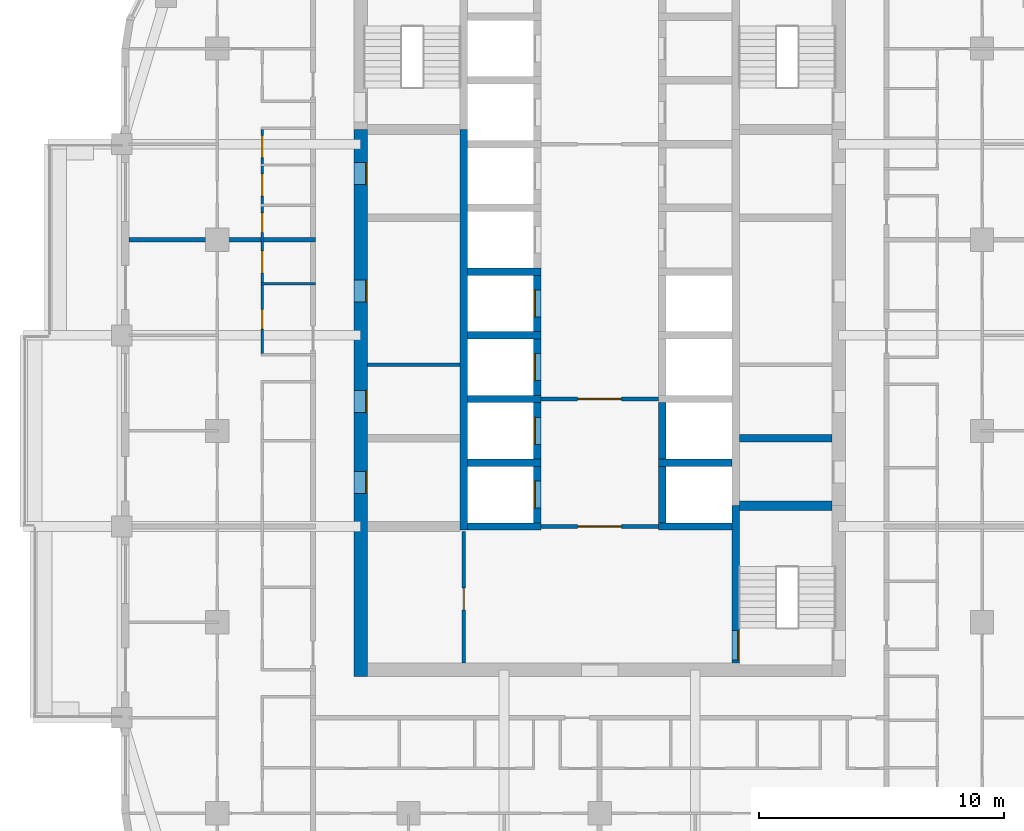
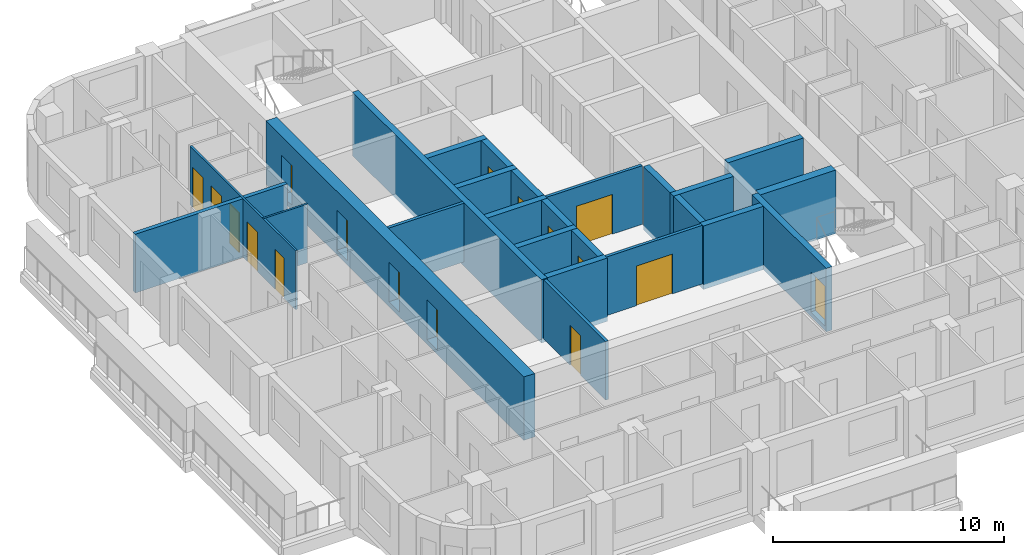
# One storey, part 5 of 14: 25 walls, 17 doors, 17 openings.
"""IFC4 building model written with IfcOpenShell, lengths in metres."""

import ifcopenshell
import ifcopenshell.guid

model = None  # the IFC model being written
_history = None  # IfcOwnerHistory: only IFC2X3 demands one
_inside = {}  # id of a spatial element -> (the spatial element, [elements in it])
_under = {}  # id of a project, library or spatial element -> (it, [spatial elements below it])
_declared = {}  # id of a project -> (the project, [libraries it declares])
_typed = {}  # id of a type object -> (the type object, [elements of that type])
_made_of = {}  # id of a material, layer set ... -> (it, [elements and type objects made of it])


def new_model(schema):
    """Start an empty IFC model of exactly this schema.

    Asked for "IFC4X3", IfcOpenShell would pick the latest addendum, in which some entities
    have other attributes; the version numbers below select the first issue.
    IFC2X3 requires an IfcOwnerHistory on every rooted entity: one is made here for all.
    """
    global model, _history
    if schema == "IFC4X3":
        model = ifcopenshell.file(schema_version=(4, 3, 0, 0))
    else:
        model = ifcopenshell.file(schema=schema)
    _inside.clear()
    _under.clear()
    _declared.clear()
    _typed.clear()
    _made_of.clear()
    _history = None
    if model.schema == "IFC2X3":
        org = make("IfcOrganization", Name="unknown")
        user = make(
            "IfcPersonAndOrganization",
            ThePerson=make("IfcPerson", FamilyName="unknown"),
            TheOrganization=org,
        )
        app = make(
            "IfcApplication",
            ApplicationDeveloper=org,
            Version="unknown",
            ApplicationFullName="unknown",
            ApplicationIdentifier="unknown",
        )
        _history = make(
            "IfcOwnerHistory",
            OwningUser=user,
            OwningApplication=app,
            ChangeAction="ADDED",
            CreationDate=0,
        )
    return model


def make(cls, **values):
    """One entity of the class cls with the attributes given. An attribute that is None is left unset."""
    return model.create_entity(
        cls, **{name: value for name, value in values.items() if value is not None}
    )


def rooted(cls, **values):
    """An entity with a GlobalId (a new one), such as an element, a storey or a relation."""
    return make(cls, GlobalId=ifcopenshell.guid.new(), OwnerHistory=_history, **values)


def si_unit(unit_type, name, prefix=None):
    """IfcSIUnit, for example si_unit("LENGTHUNIT", "METRE", prefix="MILLI")."""
    return make("IfcSIUnit", UnitType=unit_type, Prefix=prefix, Name=name)


def assignment(units):
    """IfcUnitAssignment: the units of a project."""
    return None if units is None else make("IfcUnitAssignment", Units=units)


def point(xyz):
    """IfcCartesianPoint."""
    return None if xyz is None else make("IfcCartesianPoint", Coordinates=xyz)


def direction(xyz):
    """IfcDirection."""
    return None if xyz is None else make("IfcDirection", DirectionRatios=xyz)


def frame(location, z_axis=None, x_axis=None):
    """IfcAxis2Placement3D, a coordinate frame: its origin and axes. An axis left out is left unset."""
    return make(
        "IfcAxis2Placement3D",
        Location=point(location),
        Axis=direction(z_axis),
        RefDirection=direction(x_axis),
    )


def frame_2d(location, x_axis=None):
    """IfcAxis2Placement2D, a coordinate frame in the plane: its origin and x axis."""
    return make(
        "IfcAxis2Placement2D", Location=point(location), RefDirection=direction(x_axis)
    )


def origin():
    """The frame at (0, 0, 0) with its axes left unset."""
    return frame((0.0, 0.0, 0.0))


def place(relative_to, where):
    """IfcLocalPlacement: puts the frame where relative to a parent placement (None: the world)."""
    return make(
        "IfcLocalPlacement", PlacementRelTo=relative_to, RelativePlacement=where
    )


def context(
    kind, dimensions, precision=None, world=None, true_north=None, identifier=None
):
    """IfcGeometricRepresentationContext, for example the 3D "Model" context."""
    return make(
        "IfcGeometricRepresentationContext",
        ContextIdentifier=identifier,
        ContextType=kind,
        CoordinateSpaceDimension=dimensions,
        Precision=precision,
        WorldCoordinateSystem=world,
        TrueNorth=true_north,
    )


def subcontext(parent, identifier, kind, view, scale=None):
    """IfcGeometricRepresentationSubContext, for example "Body" below "Model"."""
    return make(
        "IfcGeometricRepresentationSubContext",
        ContextIdentifier=identifier,
        ContextType=kind,
        ParentContext=parent,
        TargetScale=scale,
        TargetView=view,
    )


def project(units=None, contexts=None):
    """IfcProject with its units and contexts."""
    return rooted(
        "IfcProject",
        Name="project",
        RepresentationContexts=contexts,
        UnitsInContext=assignment(units),
    )


def spatial(cls, under=None, at=None, **own):
    """A site, building, storey or space (cls), placed at a placement, below another one or the project."""
    s = rooted(cls, ObjectPlacement=at, **own)
    if under is not None:
        _under.setdefault(under.id(), (under, []))[1].append(s)
    return s


def profile(cls, at=None, kind="AREA", **sizes):
    """A parametric profile (cls). Its sizes go by their IFC names, for example OverallWidth=200.0."""
    return make(cls, ProfileType=kind, Position=at, **sizes)


def rectangle(**sizes):
    """IfcRectangleProfileDef."""
    return profile("IfcRectangleProfileDef", **sizes)


def extrude(swept, where, along, depth):
    """IfcExtrudedAreaSolid: the profile swept, set in the frame where, extruded along a direction by depth."""
    return make(
        "IfcExtrudedAreaSolid",
        SweptArea=swept,
        Position=where,
        ExtrudedDirection=direction(along),
        Depth=depth,
    )


def shape(context_of_items, identifier, shape_type, items):
    """IfcShapeRepresentation: the items that make up one representation, for example the "Body"."""
    return make(
        "IfcShapeRepresentation",
        ContextOfItems=context_of_items,
        RepresentationIdentifier=identifier,
        RepresentationType=shape_type,
        Items=items,
    )


def material(Name=None, Category=None):
    """IfcMaterial."""
    return make("IfcMaterial", Name=Name, Category=Category)


def layer(
    of_material, thickness, ventilated=None, Name=None, Category=None, Priority=None
):
    """IfcMaterialLayer: one layer of a wall or slab, of a material (None: an air gap)."""
    return make(
        "IfcMaterialLayer",
        Material=of_material,
        LayerThickness=thickness,
        IsVentilated=ventilated,
        Name=Name,
        Category=Category,
        Priority=Priority,
    )


def layer_set(layers, Name=None):
    """IfcMaterialLayerSet."""
    return make("IfcMaterialLayerSet", MaterialLayers=layers, LayerSetName=Name)


def made_of(thing, what):
    """Note that an element or type object is made of a material, layer set ...; save() writes the relation."""
    if what is not None:
        _made_of.setdefault(what.id(), (what, []))[1].append(thing)
    return thing


def type_object(cls, material=None, **own):
    """A type object (cls), such as IfcWallType, which elements share."""
    return made_of(rooted(cls, **own), material)


def element(
    cls,
    number,
    at=None,
    inside=None,
    cuts=None,
    type_object=None,
    material=None,
    context=None,
    identifier="Body",
    shape_type=None,
    held_by="IfcProductDefinitionShape",
    body=None,
    shapes=None,
    **own,
):
    """One element of the class cls, such as IfcWall. Its Tag is "e" and its number.

    at: its placement. inside: the storey or other place that contains it. cuts: it is an
    opening in that element (IfcRelVoidsElement). A single representation is given by context,
    identifier, shape_type and body (its items); several are given by shapes. held_by: the class
    of the entity that holds the representations. save() writes the other relations.
    """
    e = rooted(cls, Tag="e%d" % number, ObjectPlacement=at, **own)
    if body is not None:
        shapes = [shape(context, identifier, shape_type, body)]
    if shapes is not None:
        e.Representation = make(held_by, Representations=shapes)
    if inside is not None:
        _inside.setdefault(inside.id(), (inside, []))[1].append(e)
    if cuts is not None:
        rooted(
            "IfcRelVoidsElement", RelatingBuildingElement=cuts, RelatedOpeningElement=e
        )
    if type_object is not None:
        _typed.setdefault(type_object.id(), (type_object, []))[1].append(e)
    return made_of(e, material)


def fill(opening, filler):
    """IfcRelFillsElement: the door or window that sits in an opening."""
    return rooted(
        "IfcRelFillsElement",
        RelatingOpeningElement=opening,
        RelatedBuildingElement=filler,
    )


def aggregate(whole, parts):
    """IfcRelAggregates: a whole, such as a stair, and the parts it consists of."""
    return rooted("IfcRelAggregates", RelatingObject=whole, RelatedObjects=parts)


def save(model, path):
    """Write the relations noted so far, then the file.

    IfcRelAggregates (storeys below a building ...), IfcRelContainedInSpatialStructure (elements
    in a storey), IfcRelDefinesByType, IfcRelAssociatesMaterial and IfcRelDeclares: one each for
    every whole, place, type object, material and project.
    """
    for whole, parts in _under.values():
        aggregate(whole, parts)
    for where, things in _inside.values():
        rooted(
            "IfcRelContainedInSpatialStructure",
            RelatedElements=things,
            RelatingStructure=where,
        )
    for kind, things in _typed.values():
        rooted("IfcRelDefinesByType", RelatedObjects=things, RelatingType=kind)
    for what, things in _made_of.values():
        rooted("IfcRelAssociatesMaterial", RelatedObjects=things, RelatingMaterial=what)
    for by, libraries in _declared.values():
        rooted("IfcRelDeclares", RelatingContext=by, RelatedDefinitions=libraries)
    model.write(path)


model = new_model("IFC4")

# Units and contexts
model_context = context("Model", 3, precision=1e-05, world=origin(), true_north=direction((0.0, 1.0)))
body_context = subcontext(model_context, "Body", "Model", "MODEL_VIEW")
ifc_project = project(units=[si_unit("LENGTHUNIT", "METRE"), si_unit("AREAUNIT", "SQUARE_METRE"), si_unit("VOLUMEUNIT", "CUBIC_METRE"), si_unit("PLANEANGLEUNIT", "RADIAN"), si_unit("MASSUNIT", "GRAM", prefix="KILO")], contexts=[model_context])

# Site, building, storey
site_placement = place(None, origin())
site = spatial("IfcSite", under=ifc_project, at=site_placement, CompositionType="ELEMENT")
building_placement = place(site_placement, origin())
building = spatial("IfcBuilding", under=site, at=building_placement, Name="Ludao Terraces", CompositionType="ELEMENT")
storey_placement = place(building_placement, frame((0.0, 0.0, 113.5)))
storey = spatial("IfcBuildingStorey", under=building, at=storey_placement, Name="L31", CompositionType="ELEMENT", Elevation=113.5)

# Wall, openings, doors
ifc_material_1 = material(Name="Concrete C60", Category="concrete")
ifc_layer_1 = layer(ifc_material_1, 0.550048828125)
ifc_layer_set_1 = layer_set([ifc_layer_1], Name="Core wall 550 C60")
wall_type_1 = type_object("IfcWallType", Name="Core wall 550 C60", PredefinedType="SOLIDWALL", material=ifc_layer_set_1)
wall_1_placement = place(storey_placement, frame((75.25, 54.97509765625, -0.25), z_axis=(0.0, 0.0, 1.0), x_axis=(0.0, 1.0, 0.0)))
wall_1 = element("IfcWall", 1, at=wall_1_placement, inside=storey, type_object=wall_type_1, Name="Core wall L31 outer-W", PredefinedType="SOLIDWALL", context=body_context, shape_type="SweptSolid", body=[
    extrude(rectangle(XDim=22.324951171875, YDim=0.550048828125, at=frame_2d((11.16259765625, 0.0))), origin(), (0.0, 0.0, 1.0), 3.35009765625),
])
opening_1_placement = place(wall_1_placement, frame((7.47509765625, 0.0, 0.25)))
opening_1 = element("IfcOpeningElement", 2, at=opening_1_placement, cuts=wall_1, Name="Opening R09-045", PredefinedType="OPENING", context=body_context, shape_type="SweptSolid", body=[
    extrude(rectangle(XDim=0.89990234375, YDim=2.10009765625, at=frame_2d((0.449951171875, 1.050048828125))), frame((0.0, 0.28515625, 0.0), z_axis=(0.0, -1.0, 0.0), x_axis=(1.0, 0.0, 0.0)), (0.0, 0.0, 1.0), 0.570068359375),
])
opening_2_placement = place(wall_1_placement, frame((10.77490234375, 0.0, 0.25)))
opening_2 = element("IfcOpeningElement", 3, at=opening_2_placement, cuts=wall_1, Name="Opening R09-052", PredefinedType="OPENING", context=body_context, shape_type="SweptSolid", body=[
    extrude(rectangle(XDim=0.89990234375, YDim=2.10009765625, at=frame_2d((0.449951171875, 1.050048828125))), frame((0.0, 0.28515625, 0.0), z_axis=(0.0, -1.0, 0.0), x_axis=(1.0, 0.0, 0.0)), (0.0, 0.0, 1.0), 0.570068359375),
])
opening_3_placement = place(wall_1_placement, frame((15.27490234375, 0.0, 0.25)))
opening_3 = element("IfcOpeningElement", 4, at=opening_3_placement, cuts=wall_1, Name="Opening R09-063", PredefinedType="OPENING", context=body_context, shape_type="SweptSolid", body=[
    extrude(rectangle(XDim=0.89990234375, YDim=2.10009765625, at=frame_2d((0.449951171875, 1.050048828125))), frame((0.0, 0.28515625, 0.0), z_axis=(0.0, -1.0, 0.0), x_axis=(1.0, 0.0, 0.0)), (0.0, 0.0, 1.0), 0.570068359375),
])
opening_4_placement = place(wall_1_placement, frame((20.074951171875, 0.0, 0.25)))
opening_4 = element("IfcOpeningElement", 5, at=opening_4_placement, cuts=wall_1, Name="Opening R09-079", PredefinedType="OPENING", context=body_context, shape_type="SweptSolid", body=[
    extrude(rectangle(XDim=0.89990234375, YDim=2.10009765625, at=frame_2d((0.449951171875, 1.050048828125))), frame((0.0, 0.28515625, 0.0), z_axis=(0.0, -1.0, 0.0), x_axis=(1.0, 0.0, 0.0)), (0.0, 0.0, 1.0), 0.570068359375),
])
ifc_material_2 = material(Name="Steel Q235", Category="steel")
door_type_1 = type_object("IfcDoorType", Name="INT Riser door 900", OperationType="SINGLE_SWING_LEFT", PredefinedType="DOOR", material=ifc_material_2)
door_1_placement = place(opening_1_placement, origin())
door_1 = element("IfcDoor", 6, at=door_1_placement, inside=storey, type_object=door_type_1, Name="DOOR 045", OperationType="SINGLE_SWING_RIGHT", OverallHeight=2.10009765625, OverallWidth=0.89990234375, PredefinedType="DOOR", context=body_context, shape_type="SweptSolid", body=[
    extrude(rectangle(XDim=0.89990234375, YDim=2.10009765625, at=frame_2d((0.449951171875, 1.050048828125))), frame((0.0, -0.2099609375, 0.0), z_axis=(0.0, -1.0, 0.0), x_axis=(1.0, 0.0, 0.0)), (0.0, 0.0, 1.0), 0.050048828125),
])
fill(opening_1, door_1)
door_2_placement = place(opening_4_placement, origin())
door_2 = element("IfcDoor", 7, at=door_2_placement, inside=storey, type_object=door_type_1, Name="DOOR 079", OperationType="SINGLE_SWING_LEFT", OverallHeight=2.10009765625, OverallWidth=0.89990234375, PredefinedType="DOOR", context=body_context, shape_type="SweptSolid", body=[
    extrude(rectangle(XDim=0.89990234375, YDim=2.10009765625, at=frame_2d((0.449951171875, 1.050048828125))), frame((0.0, -0.2099609375, 0.0), z_axis=(0.0, -1.0, 0.0), x_axis=(1.0, 0.0, 0.0)), (0.0, 0.0, 1.0), 0.050048828125),
])
fill(opening_4, door_2)
ifc_material_3 = material(Name="Timber door leaf", Category="wood")
door_type_2 = type_object("IfcDoorType", Name="INT Room door 900", OperationType="SINGLE_SWING_LEFT", PredefinedType="DOOR", material=ifc_material_3)
door_3_placement = place(opening_2_placement, origin())
door_3 = element("IfcDoor", 8, at=door_3_placement, inside=storey, type_object=door_type_2, Name="DOOR 052", OperationType="SINGLE_SWING_RIGHT", OverallHeight=2.10009765625, OverallWidth=0.89990234375, PredefinedType="DOOR", context=body_context, shape_type="SweptSolid", body=[
    extrude(rectangle(XDim=0.89990234375, YDim=2.10009765625, at=frame_2d((0.449951171875, 1.050048828125))), frame((0.0, -0.2099609375, 0.0), z_axis=(0.0, -1.0, 0.0), x_axis=(1.0, 0.0, 0.0)), (0.0, 0.0, 1.0), 0.050048828125),
])
fill(opening_2, door_3)
door_4_placement = place(opening_3_placement, origin())
door_4 = element("IfcDoor", 9, at=door_4_placement, inside=storey, type_object=door_type_2, Name="DOOR 063", OperationType="SINGLE_SWING_LEFT", OverallHeight=2.10009765625, OverallWidth=0.89990234375, PredefinedType="DOOR", context=body_context, shape_type="SweptSolid", body=[
    extrude(rectangle(XDim=0.89990234375, YDim=2.10009765625, at=frame_2d((0.449951171875, 1.050048828125))), frame((0.0, -0.2099609375, 0.0), z_axis=(0.0, -1.0, 0.0), x_axis=(1.0, 0.0, 0.0)), (0.0, 0.0, 1.0), 0.050048828125),
])
fill(opening_3, door_4)

# Wall, opening, door
ifc_material_4 = material(Name="Fire-rated gypsum plasterboard", Category="gypsum")
ifc_layer_2 = layer(ifc_material_4, 0.012451171875, Category="gypsum")
ifc_material_5 = material(Name="Mineral wool")
ifc_layer_3 = layer(ifc_material_5, 0.10009765625, Name="insulation")
ifc_layer_4 = layer(ifc_material_2, 0.02490234375, Name="stud")
ifc_layer_5 = layer(ifc_material_4, 0.012451171875, Category="gypsum")
ifc_layer_set_2 = layer_set([ifc_layer_2, ifc_layer_3, ifc_layer_4, ifc_layer_5], Name="INT Core partition 150")
wall_type_2 = type_object("IfcWallType", Name="INT Core partition 150", PredefinedType="PARTITIONING", material=ifc_layer_set_2)
wall_2_placement = place(storey_placement, frame((82.60009765625, 61.10009765625, 0.0), z_axis=(0.0, 0.0, 1.0), x_axis=(1.0, 0.0, 0.0)))
wall_2 = element("IfcWall", 10, at=wall_2_placement, inside=storey, type_object=wall_type_2, Name="PW-L31-PW018", PredefinedType="PARTITIONING", context=body_context, shape_type="SweptSolid", body=[
    extrude(rectangle(XDim=4.800048828125, YDim=0.14990234375, at=frame_2d((2.39990234375, 0.0))), origin(), (0.0, 0.0, 1.0), 3.10009765625),
])
opening_5_placement = place(wall_2_placement, frame((1.5, 0.0, 0.0)))
opening_5 = element("IfcOpeningElement", 11, at=opening_5_placement, cuts=wall_2, Name="Opening R09-041", PredefinedType="OPENING", context=body_context, shape_type="SweptSolid", body=[
    extrude(rectangle(XDim=1.800048828125, YDim=2.10009765625, at=frame_2d((0.89990234375, 1.050048828125))), frame((0.0, 0.0849609375, 0.0), z_axis=(0.0, -1.0, 0.0), x_axis=(1.0, 0.0, 0.0)), (0.0, 0.0, 1.0), 0.169921875),
])
door_type_3 = type_object("IfcDoorType", Name="INT Fire lobby door 1800", OperationType="DOUBLE_DOOR_SINGLE_SWING", PredefinedType="DOOR", material=ifc_material_2)
door_5_placement = place(opening_5_placement, origin())
door_5 = element("IfcDoor", 12, at=door_5_placement, inside=storey, type_object=door_type_3, Name="DOOR 041", OperationType="DOUBLE_DOOR_SINGLE_SWING", OverallHeight=2.10009765625, OverallWidth=1.800048828125, PredefinedType="DOOR", context=body_context, shape_type="SweptSolid", body=[
    extrude(rectangle(XDim=1.800048828125, YDim=2.10009765625, at=frame_2d((0.89990234375, 1.050048828125))), frame((0.0, 0.02490234375, 0.0), z_axis=(0.0, -1.0, 0.0), x_axis=(1.0, 0.0, 0.0)), (0.0, 0.0, 1.0), 0.050048828125),
])
fill(opening_5, door_5)

wall_3_placement = place(storey_placement, frame((82.60009765625, 66.300048828125, 0.0), z_axis=(0.0, 0.0, 1.0), x_axis=(1.0, 0.0, 0.0)))
wall_3 = element("IfcWall", 13, at=wall_3_placement, inside=storey, type_object=wall_type_2, Name="PW-L31-PW024", PredefinedType="PARTITIONING", context=body_context, shape_type="SweptSolid", body=[
    extrude(rectangle(XDim=4.800048828125, YDim=0.14990234375, at=frame_2d((2.39990234375, 0.0))), origin(), (0.0, 0.0, 1.0), 3.10009765625),
])
opening_6_placement = place(wall_3_placement, frame((1.5, 0.0, 0.0)))
opening_6 = element("IfcOpeningElement", 14, at=opening_6_placement, cuts=wall_3, Name="Opening R09-054", PredefinedType="OPENING", context=body_context, shape_type="SweptSolid", body=[
    extrude(rectangle(XDim=1.800048828125, YDim=2.10009765625, at=frame_2d((0.89990234375, 1.050048828125))), frame((0.0, 0.0849609375, 0.0), z_axis=(0.0, -1.0, 0.0), x_axis=(1.0, 0.0, 0.0)), (0.0, 0.0, 1.0), 0.169921875),
])
door_6_placement = place(opening_6_placement, origin())
door_6 = element("IfcDoor", 15, at=door_6_placement, inside=storey, type_object=door_type_3, Name="DOOR 054", OperationType="DOUBLE_DOOR_SINGLE_SWING", OverallHeight=2.10009765625, OverallWidth=1.800048828125, PredefinedType="DOOR", context=body_context, shape_type="SweptSolid", body=[
    extrude(rectangle(XDim=1.800048828125, YDim=2.10009765625, at=frame_2d((0.89990234375, 1.050048828125))), frame((0.0, 0.02490234375, 0.0), z_axis=(0.0, -1.0, 0.0), x_axis=(1.0, 0.0, 0.0)), (0.0, 0.0, 1.0), 0.050048828125),
])
fill(opening_6, door_6)

# Wall
wall_4_placement = place(storey_placement, frame((75.525146484375, 67.699951171875, 0.0), z_axis=(0.0, 0.0, 1.0), x_axis=(1.0, 0.0, 0.0)))
element("IfcWall", 16, at=wall_4_placement, inside=storey, type_object=wall_type_2, Name="PW-L31-PW027", PredefinedType="PARTITIONING", context=body_context, shape_type="SweptSolid", body=[
    extrude(rectangle(XDim=3.77490234375, YDim=0.14990234375, at=frame_2d((1.887451171875, 0.0))), origin(), (0.0, 0.0, 1.0), 3.10009765625),
])

# Wall, opening, door
wall_5_placement = place(storey_placement, frame((79.449951171875, 55.525146484375, 0.0), z_axis=(0.0, 0.0, 1.0), x_axis=(0.0, 1.0, 0.0)))
wall_5 = element("IfcWall", 17, at=wall_5_placement, inside=storey, type_object=wall_type_2, Name="PW-L31-PW059", PredefinedType="PARTITIONING", context=body_context, shape_type="SweptSolid", body=[
    extrude(rectangle(XDim=5.375, YDim=0.14990234375, at=frame_2d((2.6875, 0.0))), origin(), (0.0, 0.0, 1.0), 3.10009765625),
])
opening_7_placement = place(wall_5_placement, frame((2.175048828125, 0.0, 0.0)))
opening_7 = element("IfcOpeningElement", 18, at=opening_7_placement, cuts=wall_5, Name="Opening R09-037", PredefinedType="OPENING", context=body_context, shape_type="SweptSolid", body=[
    extrude(rectangle(XDim=0.89990234375, YDim=2.10009765625, at=frame_2d((0.449951171875, 1.050048828125))), frame((0.0, 0.0849609375, 0.0), z_axis=(0.0, -1.0, 0.0), x_axis=(1.0, 0.0, 0.0)), (0.0, 0.0, 1.0), 0.169921875),
])
door_7_placement = place(opening_7_placement, origin())
door_7 = element("IfcDoor", 19, at=door_7_placement, inside=storey, type_object=door_type_2, Name="DOOR 037", OperationType="SINGLE_SWING_LEFT", OverallHeight=2.10009765625, OverallWidth=0.89990234375, PredefinedType="DOOR", context=body_context, shape_type="SweptSolid", body=[
    extrude(rectangle(XDim=0.89990234375, YDim=2.10009765625, at=frame_2d((0.449951171875, 1.050048828125))), frame((0.0, 0.02490234375, 0.0), z_axis=(0.0, -1.0, 0.0), x_axis=(1.0, 0.0, 0.0)), (0.0, 0.0, 1.0), 0.050048828125),
])
fill(opening_7, door_7)

# Wall
ifc_material_6 = material(Name="Gypsum plasterboard", Category="gypsum")
ifc_layer_6 = layer(ifc_material_6, 0.012451171875, Category="gypsum")
ifc_layer_7 = layer(ifc_material_5, 0.06005859375, Name="insulation")
ifc_layer_8 = layer(ifc_material_2, 0.014892578125, Name="stud")
ifc_layer_9 = layer(ifc_material_6, 0.012451171875, Category="gypsum")
ifc_layer_set_3 = layer_set([ifc_layer_6, ifc_layer_7, ifc_layer_8, ifc_layer_9], Name="INT Partition 100")
wall_type_3 = type_object("IfcWallType", Name="INT Partition 100", PredefinedType="PARTITIONING", material=ifc_layer_set_3)
wall_6_placement = place(storey_placement, frame((71.18017578125, 71.0, 0.0), z_axis=(0.0, 0.0, 1.0), x_axis=(1.0, 0.0, 0.0)))
element("IfcWall", 20, at=wall_6_placement, inside=storey, type_object=wall_type_3, Name="PW-L31-PW034", PredefinedType="PARTITIONING", context=body_context, shape_type="SweptSolid", body=[
    extrude(rectangle(XDim=2.219970703125, YDim=0.10009765625, at=frame_2d((1.10986328125, 0.0))), origin(), (0.0, 0.0, 1.0), 3.10009765625),
])

# Wall, openings, doors
wall_7_placement = place(storey_placement, frame((71.22998046875, 68.150146484375, 0.0), z_axis=(0.0, 0.0, 1.0), x_axis=(0.0, 1.0, 0.0)))
wall_7 = element("IfcWall", 21, at=wall_7_placement, inside=storey, type_object=wall_type_3, Name="PW-L31-PW053", PredefinedType="PARTITIONING", context=body_context, shape_type="SweptSolid", body=[
    extrude(rectangle(XDim=9.14990234375, YDim=0.10009765625, at=frame_2d((4.574951171875, 0.0))), origin(), (0.0, 0.0, 1.0), 3.10009765625),
])
opening_8_placement = place(wall_7_placement, frame((1.0, 0.0, 0.0)))
opening_8 = element("IfcOpeningElement", 22, at=opening_8_placement, cuts=wall_7, Name="Opening R09-061", PredefinedType="OPENING", context=body_context, shape_type="SweptSolid", body=[
    extrude(rectangle(XDim=0.800048828125, YDim=2.10009765625, at=frame_2d((0.39990234375, 1.050048828125))), frame((0.0, 0.06005859375, 0.0), z_axis=(0.0, -1.0, 0.0), x_axis=(1.0, 0.0, 0.0)), (0.0, 0.0, 1.0), 0.1201171875),
])
opening_9_placement = place(wall_7_placement, frame((3.300048828125, 0.0, 0.0)))
opening_9 = element("IfcOpeningElement", 23, at=opening_9_placement, cuts=wall_7, Name="Opening R09-068", PredefinedType="OPENING", context=body_context, shape_type="SweptSolid", body=[
    extrude(rectangle(XDim=0.89990234375, YDim=2.10009765625, at=frame_2d((0.449951171875, 1.050048828125))), frame((0.0, 0.06005859375, 0.0), z_axis=(0.0, -1.0, 0.0), x_axis=(1.0, 0.0, 0.0)), (0.0, 0.0, 1.0), 0.1201171875),
])
opening_10_placement = place(wall_7_placement, frame((4.949951171875, 0.0, 0.0)))
opening_10 = element("IfcOpeningElement", 24, at=opening_10_placement, cuts=wall_7, Name="Opening R09-071", PredefinedType="OPENING", context=body_context, shape_type="SweptSolid", body=[
    extrude(rectangle(XDim=0.800048828125, YDim=2.10009765625, at=frame_2d((0.39990234375, 1.050048828125))), frame((0.0, 0.06005859375, 0.0), z_axis=(0.0, -1.0, 0.0), x_axis=(1.0, 0.0, 0.0)), (0.0, 0.0, 1.0), 0.1201171875),
])
opening_11_placement = place(wall_7_placement, frame((6.425048828125, 0.0, 0.0)))
opening_11 = element("IfcOpeningElement", 25, at=opening_11_placement, cuts=wall_7, Name="Opening R09-076", PredefinedType="OPENING", context=body_context, shape_type="SweptSolid", body=[
    extrude(rectangle(XDim=0.89990234375, YDim=2.10009765625, at=frame_2d((0.449951171875, 1.050048828125))), frame((0.0, 0.06005859375, 0.0), z_axis=(0.0, -1.0, 0.0), x_axis=(1.0, 0.0, 0.0)), (0.0, 0.0, 1.0), 0.1201171875),
])
opening_12_placement = place(wall_7_placement, frame((8.0, 0.0, 0.0)))
opening_12 = element("IfcOpeningElement", 26, at=opening_12_placement, cuts=wall_7, Name="Opening R09-082", PredefinedType="OPENING", context=body_context, shape_type="SweptSolid", body=[
    extrude(rectangle(XDim=0.89990234375, YDim=2.10009765625, at=frame_2d((0.449951171875, 1.050048828125))), frame((0.0, 0.06005859375, 0.0), z_axis=(0.0, -1.0, 0.0), x_axis=(1.0, 0.0, 0.0)), (0.0, 0.0, 1.0), 0.1201171875),
])
door_type_4 = type_object("IfcDoorType", Name="INT Bathroom door 900", OperationType="SINGLE_SWING_LEFT", PredefinedType="DOOR", material=ifc_material_3)
door_8_placement = place(opening_9_placement, origin())
door_8 = element("IfcDoor", 27, at=door_8_placement, inside=storey, type_object=door_type_4, Name="DOOR 068", OperationType="SINGLE_SWING_RIGHT", OverallHeight=2.10009765625, OverallWidth=0.89990234375, PredefinedType="DOOR", context=body_context, shape_type="SweptSolid", body=[
    extrude(rectangle(XDim=0.89990234375, YDim=2.10009765625, at=frame_2d((0.449951171875, 1.050048828125))), frame((0.0, 0.02490234375, 0.0), z_axis=(0.0, -1.0, 0.0), x_axis=(1.0, 0.0, 0.0)), (0.0, 0.0, 1.0), 0.050048828125),
])
fill(opening_9, door_8)
door_9_placement = place(opening_11_placement, origin())
door_9 = element("IfcDoor", 28, at=door_9_placement, inside=storey, type_object=door_type_4, Name="DOOR 076", OperationType="SINGLE_SWING_RIGHT", OverallHeight=2.10009765625, OverallWidth=0.89990234375, PredefinedType="DOOR", context=body_context, shape_type="SweptSolid", body=[
    extrude(rectangle(XDim=0.89990234375, YDim=2.10009765625, at=frame_2d((0.449951171875, 1.050048828125))), frame((0.0, 0.02490234375, 0.0), z_axis=(0.0, -1.0, 0.0), x_axis=(1.0, 0.0, 0.0)), (0.0, 0.0, 1.0), 0.050048828125),
])
fill(opening_11, door_9)
door_10_placement = place(opening_12_placement, origin())
door_10 = element("IfcDoor", 29, at=door_10_placement, inside=storey, type_object=door_type_4, Name="DOOR 082", OperationType="SINGLE_SWING_LEFT", OverallHeight=2.10009765625, OverallWidth=0.89990234375, PredefinedType="DOOR", context=body_context, shape_type="SweptSolid", body=[
    extrude(rectangle(XDim=0.89990234375, YDim=2.10009765625, at=frame_2d((0.449951171875, 1.050048828125))), frame((0.0, 0.02490234375, 0.0), z_axis=(0.0, -1.0, 0.0), x_axis=(1.0, 0.0, 0.0)), (0.0, 0.0, 1.0), 0.050048828125),
])
fill(opening_12, door_10)
door_type_5 = type_object("IfcDoorType", Name="INT Store door 800", OperationType="SINGLE_SWING_LEFT", PredefinedType="DOOR", material=ifc_material_3)
door_11_placement = place(opening_8_placement, origin())
door_11 = element("IfcDoor", 30, at=door_11_placement, inside=storey, type_object=door_type_5, Name="DOOR 061", OperationType="SINGLE_SWING_RIGHT", OverallHeight=2.10009765625, OverallWidth=0.800048828125, PredefinedType="DOOR", context=body_context, shape_type="SweptSolid", body=[
    extrude(rectangle(XDim=0.800048828125, YDim=2.10009765625, at=frame_2d((0.39990234375, 1.050048828125))), frame((0.0, 0.02490234375, 0.0), z_axis=(0.0, -1.0, 0.0), x_axis=(1.0, 0.0, 0.0)), (0.0, 0.0, 1.0), 0.050048828125),
])
fill(opening_8, door_11)
door_12_placement = place(opening_10_placement, origin())
door_12 = element("IfcDoor", 31, at=door_12_placement, inside=storey, type_object=door_type_5, Name="DOOR 071", OperationType="SINGLE_SWING_RIGHT", OverallHeight=2.10009765625, OverallWidth=0.800048828125, PredefinedType="DOOR", context=body_context, shape_type="SweptSolid", body=[
    extrude(rectangle(XDim=0.800048828125, YDim=2.10009765625, at=frame_2d((0.39990234375, 1.050048828125))), frame((0.0, 0.02490234375, 0.0), z_axis=(0.0, -1.0, 0.0), x_axis=(1.0, 0.0, 0.0)), (0.0, 0.0, 1.0), 0.050048828125),
])
fill(opening_10, door_12)

# Walls
ifc_material_7 = material(Name="Autoclaved aerated concrete block B06 A3.5", Category="concrete")
ifc_layer_10 = layer(ifc_material_7, 0.199951171875)
ifc_layer_set_4 = layer_set([ifc_layer_10], Name="INT Party wall 200")
wall_type_4 = type_object("IfcWallType", Name="INT Party wall 200", PredefinedType="PARTITIONING", material=ifc_layer_set_4)
wall_8_placement = place(storey_placement, frame((65.800048828125, 72.800048828125, 0.0), z_axis=(0.0, 0.0, 1.0), x_axis=(1.0, 0.0, 0.0)))
element("IfcWall", 32, at=wall_8_placement, inside=storey, type_object=wall_type_4, Name="PW-L31-PW035", PredefinedType="PARTITIONING", context=body_context, shape_type="SweptSolid", body=[
    extrude(rectangle(XDim=7.60009765625, YDim=0.199951171875, at=frame_2d((3.800048828125, 0.0))), origin(), (0.0, 0.0, 1.0), 3.10009765625),
])
ifc_material_8 = material(Name="Concrete C55", Category="concrete")
ifc_layer_11 = layer(ifc_material_8, 0.300048828125)
ifc_layer_set_5 = layer_set([ifc_layer_11], Name="Shaft wall 300 C55")
wall_type_5 = type_object("IfcWallType", Name="Shaft wall 300 C55", PredefinedType="SOLIDWALL", material=ifc_layer_set_5)
wall_9_placement = place(storey_placement, frame((79.449951171875, 60.949951171875, -0.25), z_axis=(0.0, 0.0, 1.0), x_axis=(0.0, 1.0, 0.0)))
element("IfcWall", 33, at=wall_9_placement, inside=storey, type_object=wall_type_5, Name="Core wall L31 back-W", PredefinedType="SOLIDWALL", context=body_context, shape_type="SweptSolid", body=[
    extrude(rectangle(XDim=16.35009765625, YDim=0.300048828125, at=frame_2d((8.175048828125, 0.0))), origin(), (0.0, 0.0, 1.0), 3.35009765625),
])

# Wall, opening, door
wall_10_placement = place(storey_placement, frame((90.550048828125, 55.52490234375, -0.25), z_axis=(0.0, 0.0, 1.0), x_axis=(0.0, 1.0, 0.0)))
wall_10 = element("IfcWall", 34, at=wall_10_placement, inside=storey, type_object=wall_type_5, Name="Core wall L31 back-E-S3", PredefinedType="SOLIDWALL", context=body_context, shape_type="SweptSolid", body=[
    extrude(rectangle(XDim=6.425048828125, YDim=0.300048828125, at=frame_2d((3.21240234375, 0.0))), origin(), (0.0, 0.0, 1.0), 3.35009765625),
])
opening_13_placement = place(wall_10_placement, frame((0.125, 0.0, 0.25)))
opening_13 = element("IfcOpeningElement", 35, at=opening_13_placement, cuts=wall_10, Name="Opening R09-032", PredefinedType="OPENING", context=body_context, shape_type="SweptSolid", body=[
    extrude(rectangle(XDim=1.199951171875, YDim=2.10009765625, at=frame_2d((0.60009765625, 1.050048828125))), frame((0.0, 0.16015625, 0.0), z_axis=(0.0, -1.0, 0.0), x_axis=(1.0, 0.0, 0.0)), (0.0, 0.0, 1.0), 0.320068359375),
])
door_type_6 = type_object("IfcDoorType", Name="INT Stair door 1200", OperationType="DOUBLE_DOOR_SINGLE_SWING", PredefinedType="DOOR", material=ifc_material_2)
door_13_placement = place(opening_13_placement, origin())
door_13 = element("IfcDoor", 36, at=door_13_placement, inside=storey, type_object=door_type_6, Name="DOOR 032", OperationType="DOUBLE_DOOR_SINGLE_SWING", OverallHeight=2.10009765625, OverallWidth=1.199951171875, PredefinedType="DOOR", context=body_context, shape_type="SweptSolid", body=[
    extrude(rectangle(XDim=1.199951171875, YDim=2.10009765625, at=frame_2d((0.60009765625, 1.050048828125))), frame((0.0, -0.0849609375, 0.0), z_axis=(0.0, -1.0, 0.0), x_axis=(1.0, 0.0, 0.0)), (0.0, 0.0, 1.0), 0.050048828125),
])
fill(opening_13, door_13)

# Wall
wall_11_placement = place(storey_placement, frame((79.60009765625, 61.10009765625, -0.25), z_axis=(0.0, 0.0, 1.0), x_axis=(1.0, 0.0, 0.0)))
element("IfcWall", 37, at=wall_11_placement, inside=storey, type_object=wall_type_5, Name="Core wall L31 div-W1", PredefinedType="SOLIDWALL", context=body_context, shape_type="SweptSolid", body=[
    extrude(rectangle(XDim=3.0, YDim=0.300048828125, at=frame_2d((1.5, 0.0))), origin(), (0.0, 0.0, 1.0), 3.35009765625),
])

# Wall, opening, door
wall_12_placement = place(storey_placement, frame((82.449951171875, 61.25, -0.25), z_axis=(0.0, 0.0, 1.0), x_axis=(0.0, 1.0, 0.0)))
wall_12 = element("IfcWall", 38, at=wall_12_placement, inside=storey, type_object=wall_type_5, Name="Core wall L31 front-W1", PredefinedType="SOLIDWALL", context=body_context, shape_type="SweptSolid", body=[
    extrude(rectangle(XDim=2.300048828125, YDim=0.300048828125, at=frame_2d((1.14990234375, 0.0))), origin(), (0.0, 0.0, 1.0), 3.35009765625),
])
opening_14_placement = place(wall_12_placement, frame((0.60009765625, 0.0, 0.25)))
opening_14 = element("IfcOpeningElement", 39, at=opening_14_placement, cuts=wall_12, Name="Opening LD-LA1", PredefinedType="OPENING", context=body_context, shape_type="SweptSolid", body=[
    extrude(rectangle(XDim=1.10009765625, YDim=2.10009765625, at=frame_2d((0.550048828125, 1.050048828125))), frame((0.0, 0.16015625, 0.0), z_axis=(0.0, -1.0, 0.0), x_axis=(1.0, 0.0, 0.0)), (0.0, 0.0, 1.0), 0.320068359375),
])
ifc_material_9 = material(Name="Stainless steel 304", Category="steel")
door_type_7 = type_object("IfcDoorType", Name="INT Lift landing door 1100", OperationType="SLIDING_TO_LEFT", PredefinedType="DOOR", material=ifc_material_9)
door_14_placement = place(opening_14_placement, origin())
door_14 = element("IfcDoor", 40, at=door_14_placement, inside=storey, type_object=door_type_7, Name="LANDING DOOR LA1 L31", OperationType="SLIDING_TO_RIGHT", OverallHeight=2.10009765625, OverallWidth=1.10009765625, PredefinedType="DOOR", context=body_context, shape_type="SweptSolid", body=[
    extrude(rectangle(XDim=1.10009765625, YDim=2.10009765625, at=frame_2d((0.550048828125, 1.050048828125))), frame((0.0, 0.13525390625, 0.0), z_axis=(0.0, -1.0, 0.0), x_axis=(1.0, 0.0, 0.0)), (0.0, 0.0, 1.0), 0.050048828125),
])
fill(opening_14, door_14)

# Wall
wall_13_placement = place(storey_placement, frame((79.60009765625, 63.699951171875, -0.25), z_axis=(0.0, 0.0, 1.0), x_axis=(1.0, 0.0, 0.0)))
element("IfcWall", 41, at=wall_13_placement, inside=storey, type_object=wall_type_5, Name="Core wall L31 div-W2", PredefinedType="SOLIDWALL", context=body_context, shape_type="SweptSolid", body=[
    extrude(rectangle(XDim=3.0, YDim=0.300048828125, at=frame_2d((1.5, 0.0))), origin(), (0.0, 0.0, 1.0), 3.35009765625),
])

# Wall, opening, door
wall_14_placement = place(storey_placement, frame((82.449951171875, 63.85009765625, -0.25), z_axis=(0.0, 0.0, 1.0), x_axis=(0.0, 1.0, 0.0)))
wall_14 = element("IfcWall", 42, at=wall_14_placement, inside=storey, type_object=wall_type_5, Name="Core wall L31 front-W2", PredefinedType="SOLIDWALL", context=body_context, shape_type="SweptSolid", body=[
    extrude(rectangle(XDim=2.2998046875, YDim=0.300048828125, at=frame_2d((1.14990234375, 0.0))), origin(), (0.0, 0.0, 1.0), 3.35009765625),
])
opening_15_placement = place(wall_14_placement, frame((0.60009765625, 0.0, 0.25)))
opening_15 = element("IfcOpeningElement", 43, at=opening_15_placement, cuts=wall_14, Name="Opening LD-LA2", PredefinedType="OPENING", context=body_context, shape_type="SweptSolid", body=[
    extrude(rectangle(XDim=1.10009765625, YDim=2.10009765625, at=frame_2d((0.550048828125, 1.050048828125))), frame((0.0, 0.16015625, 0.0), z_axis=(0.0, -1.0, 0.0), x_axis=(1.0, 0.0, 0.0)), (0.0, 0.0, 1.0), 0.320068359375),
])
door_15_placement = place(opening_15_placement, origin())
door_15 = element("IfcDoor", 44, at=door_15_placement, inside=storey, type_object=door_type_7, Name="LANDING DOOR LA2 L31", OperationType="SLIDING_TO_RIGHT", OverallHeight=2.10009765625, OverallWidth=1.10009765625, PredefinedType="DOOR", context=body_context, shape_type="SweptSolid", body=[
    extrude(rectangle(XDim=1.10009765625, YDim=2.10009765625, at=frame_2d((0.550048828125, 1.050048828125))), frame((0.0, 0.13525390625, 0.0), z_axis=(0.0, -1.0, 0.0), x_axis=(1.0, 0.0, 0.0)), (0.0, 0.0, 1.0), 0.050048828125),
])
fill(opening_15, door_15)

# Wall
wall_15_placement = place(storey_placement, frame((79.60009765625, 66.300048828125, -0.25), z_axis=(0.0, 0.0, 1.0), x_axis=(1.0, 0.0, 0.0)))
element("IfcWall", 45, at=wall_15_placement, inside=storey, type_object=wall_type_5, Name="Core wall L31 div-W3", PredefinedType="SOLIDWALL", context=body_context, shape_type="SweptSolid", body=[
    extrude(rectangle(XDim=3.0, YDim=0.300048828125, at=frame_2d((1.5, 0.0))), origin(), (0.0, 0.0, 1.0), 3.35009765625),
])

# Wall, opening, door
wall_16_placement = place(storey_placement, frame((82.449951171875, 66.449951171875, -0.25), z_axis=(0.0, 0.0, 1.0), x_axis=(0.0, 1.0, 0.0)))
wall_16 = element("IfcWall", 46, at=wall_16_placement, inside=storey, type_object=wall_type_5, Name="Core wall L31 front-W3", PredefinedType="SOLIDWALL", context=body_context, shape_type="SweptSolid", body=[
    extrude(rectangle(XDim=2.300048828125, YDim=0.300048828125, at=frame_2d((1.14990234375, 0.0))), origin(), (0.0, 0.0, 1.0), 3.35009765625),
])
opening_16_placement = place(wall_16_placement, frame((0.60009765625, 0.0, 0.25)))
opening_16 = element("IfcOpeningElement", 47, at=opening_16_placement, cuts=wall_16, Name="Opening LD-LA3", PredefinedType="OPENING", context=body_context, shape_type="SweptSolid", body=[
    extrude(rectangle(XDim=1.10009765625, YDim=2.10009765625, at=frame_2d((0.550048828125, 1.050048828125))), frame((0.0, 0.16015625, 0.0), z_axis=(0.0, -1.0, 0.0), x_axis=(1.0, 0.0, 0.0)), (0.0, 0.0, 1.0), 0.320068359375),
])
door_16_placement = place(opening_16_placement, origin())
door_16 = element("IfcDoor", 48, at=door_16_placement, inside=storey, type_object=door_type_7, Name="LANDING DOOR LA3 L31", OperationType="SLIDING_TO_RIGHT", OverallHeight=2.10009765625, OverallWidth=1.10009765625, PredefinedType="DOOR", context=body_context, shape_type="SweptSolid", body=[
    extrude(rectangle(XDim=1.10009765625, YDim=2.10009765625, at=frame_2d((0.550048828125, 1.050048828125))), frame((0.0, 0.13525390625, 0.0), z_axis=(0.0, -1.0, 0.0), x_axis=(1.0, 0.0, 0.0)), (0.0, 0.0, 1.0), 0.050048828125),
])
fill(opening_16, door_16)

# Wall
wall_17_placement = place(storey_placement, frame((79.60009765625, 68.89990234375, -0.25), z_axis=(0.0, 0.0, 1.0), x_axis=(1.0, 0.0, 0.0)))
element("IfcWall", 49, at=wall_17_placement, inside=storey, type_object=wall_type_5, Name="Core wall L31 div-W4", PredefinedType="SOLIDWALL", context=body_context, shape_type="SweptSolid", body=[
    extrude(rectangle(XDim=3.0, YDim=0.300048828125, at=frame_2d((1.5, 0.0))), origin(), (0.0, 0.0, 1.0), 3.35009765625),
])

# Wall, opening, door
wall_18_placement = place(storey_placement, frame((82.449951171875, 69.050048828125, -0.25), z_axis=(0.0, 0.0, 1.0), x_axis=(0.0, 1.0, 0.0)))
wall_18 = element("IfcWall", 50, at=wall_18_placement, inside=storey, type_object=wall_type_5, Name="Core wall L31 front-W4", PredefinedType="SOLIDWALL", context=body_context, shape_type="SweptSolid", body=[
    extrude(rectangle(XDim=2.300048828125, YDim=0.300048828125, at=frame_2d((1.14990234375, 0.0))), origin(), (0.0, 0.0, 1.0), 3.35009765625),
])
opening_17_placement = place(wall_18_placement, frame((0.60009765625, 0.0, 0.25)))
opening_17 = element("IfcOpeningElement", 51, at=opening_17_placement, cuts=wall_18, Name="Opening LD-LA4", PredefinedType="OPENING", context=body_context, shape_type="SweptSolid", body=[
    extrude(rectangle(XDim=1.10009765625, YDim=2.10009765625, at=frame_2d((0.550048828125, 1.050048828125))), frame((0.0, 0.16015625, 0.0), z_axis=(0.0, -1.0, 0.0), x_axis=(1.0, 0.0, 0.0)), (0.0, 0.0, 1.0), 0.320068359375),
])
door_17_placement = place(opening_17_placement, origin())
door_17 = element("IfcDoor", 52, at=door_17_placement, inside=storey, type_object=door_type_7, Name="LANDING DOOR LA4 L31", OperationType="SLIDING_TO_LEFT", OverallHeight=2.10009765625, OverallWidth=1.10009765625, PredefinedType="DOOR", context=body_context, shape_type="SweptSolid", body=[
    extrude(rectangle(XDim=1.10009765625, YDim=2.10009765625, at=frame_2d((0.550048828125, 1.050048828125))), frame((0.0, 0.13525390625, 0.0), z_axis=(0.0, -1.0, 0.0), x_axis=(1.0, 0.0, 0.0)), (0.0, 0.0, 1.0), 0.050048828125),
])
fill(opening_17, door_17)

# Walls
for number, where, z_axis, x_axis, name in (
    (53, (79.60009765625, 71.5, -0.25), (0.0, 0.0, 1.0), (1.0, 0.0, 0.0), "Core wall L31 div-W5"),
    (54, (87.39990234375, 61.10009765625, -0.25), (0.0, 0.0, 1.0), (1.0, 0.0, 0.0), "Core wall L31 div-E1"),
):
    element("IfcWall", number, at=place(storey_placement, frame(where, z_axis=z_axis, x_axis=x_axis)), inside=storey, type_object=wall_type_5, Name=name, PredefinedType="SOLIDWALL", context=body_context, shape_type="SweptSolid", body=[
        extrude(rectangle(XDim=3.0, YDim=0.300048828125, at=frame_2d((1.5, 0.0))), origin(), (0.0, 0.0, 1.0), 3.35009765625),
    ])
wall_19_placement = place(storey_placement, frame((87.550048828125, 61.25, -0.25), z_axis=(0.0, 0.0, 1.0), x_axis=(0.0, 1.0, 0.0)))
element("IfcWall", 55, at=wall_19_placement, inside=storey, type_object=wall_type_5, Name="Core wall L31 front-E1", PredefinedType="SOLIDWALL", context=body_context, shape_type="SweptSolid", body=[
    extrude(rectangle(XDim=2.300048828125, YDim=0.300048828125, at=frame_2d((1.14990234375, 0.0))), origin(), (0.0, 0.0, 1.0), 3.35009765625),
])
wall_20_placement = place(storey_placement, frame((87.39990234375, 63.699951171875, -0.25), z_axis=(0.0, 0.0, 1.0), x_axis=(1.0, 0.0, 0.0)))
element("IfcWall", 56, at=wall_20_placement, inside=storey, type_object=wall_type_5, Name="Core wall L31 div-E2", PredefinedType="SOLIDWALL", context=body_context, shape_type="SweptSolid", body=[
    extrude(rectangle(XDim=3.0, YDim=0.300048828125, at=frame_2d((1.5, 0.0))), origin(), (0.0, 0.0, 1.0), 3.35009765625),
])
wall_21_placement = place(storey_placement, frame((87.550048828125, 63.85009765625, -0.25), z_axis=(0.0, 0.0, 1.0), x_axis=(0.0, 1.0, 0.0)))
element("IfcWall", 57, at=wall_21_placement, inside=storey, type_object=wall_type_5, Name="Core wall L31 front-E2", PredefinedType="SOLIDWALL", context=body_context, shape_type="SweptSolid", body=[
    extrude(rectangle(XDim=2.2998046875, YDim=0.300048828125, at=frame_2d((1.14990234375, 0.0))), origin(), (0.0, 0.0, 1.0), 3.35009765625),
])
wall_22_placement = place(storey_placement, frame((90.699951171875, 64.699951171875, -0.25), z_axis=(0.0, 0.0, 1.0), x_axis=(1.0, 0.0, 0.0)))
element("IfcWall", 58, at=wall_22_placement, inside=storey, type_object=wall_type_5, Name="Core wall L31 riser-a-E", PredefinedType="SOLIDWALL", context=body_context, shape_type="SweptSolid", body=[
    extrude(rectangle(XDim=3.775146484375, YDim=0.300048828125, at=frame_2d((1.8876953125, 0.0))), origin(), (0.0, 0.0, 1.0), 3.35009765625),
])
ifc_layer_12 = layer(ifc_material_8, 0.39990234375)
ifc_layer_set_6 = layer_set([ifc_layer_12], Name="Shaft wall 400 C55")
wall_type_6 = type_object("IfcWallType", Name="Shaft wall 400 C55", PredefinedType="SOLIDWALL", material=ifc_layer_set_6)
wall_23_placement = place(storey_placement, frame((90.699951171875, 61.949951171875, -0.25), z_axis=(0.0, 0.0, 1.0), x_axis=(1.0, 0.0, 0.0)))
element("IfcWall", 59, at=wall_23_placement, inside=storey, type_object=wall_type_6, Name="Core wall L31 hall-E", PredefinedType="SOLIDWALL", context=body_context, shape_type="SweptSolid", body=[
    extrude(rectangle(XDim=3.775146484375, YDim=0.39990234375, at=frame_2d((1.8876953125, 0.0))), origin(), (0.0, 0.0, 1.0), 3.35009765625),
])

save(model, "model.ifc")
